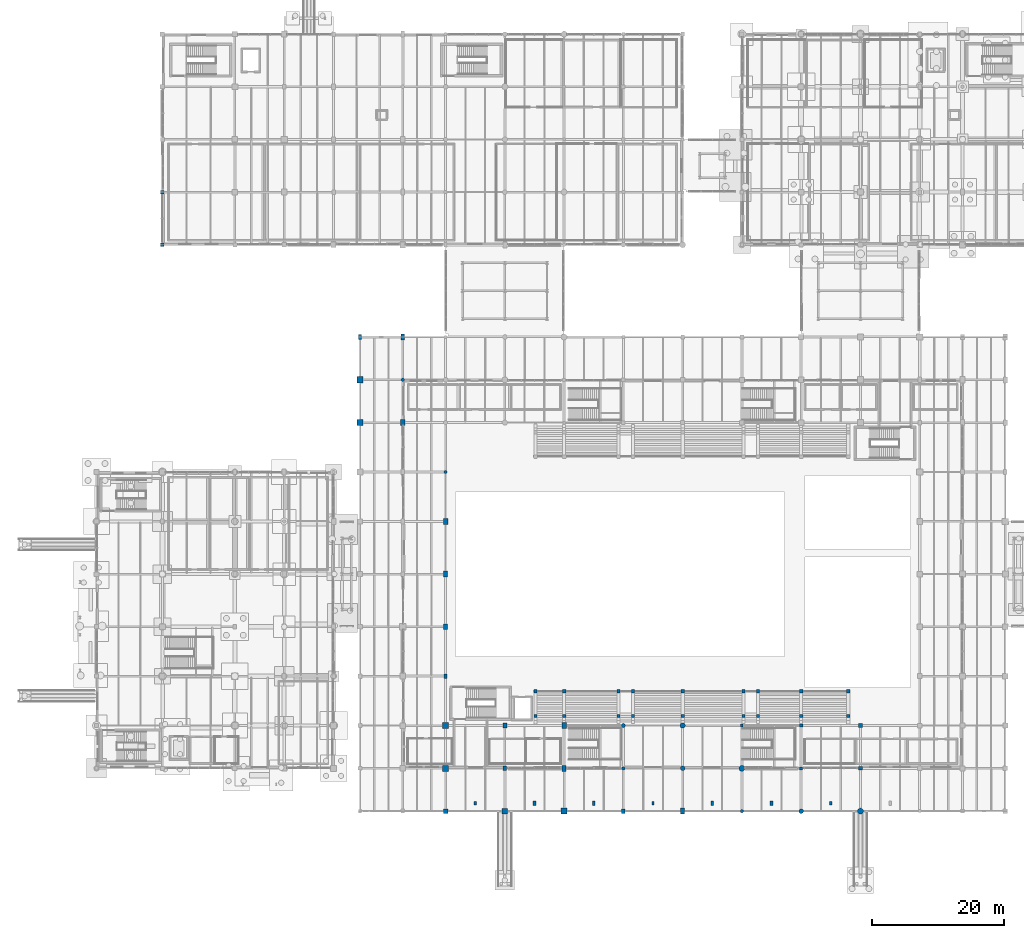
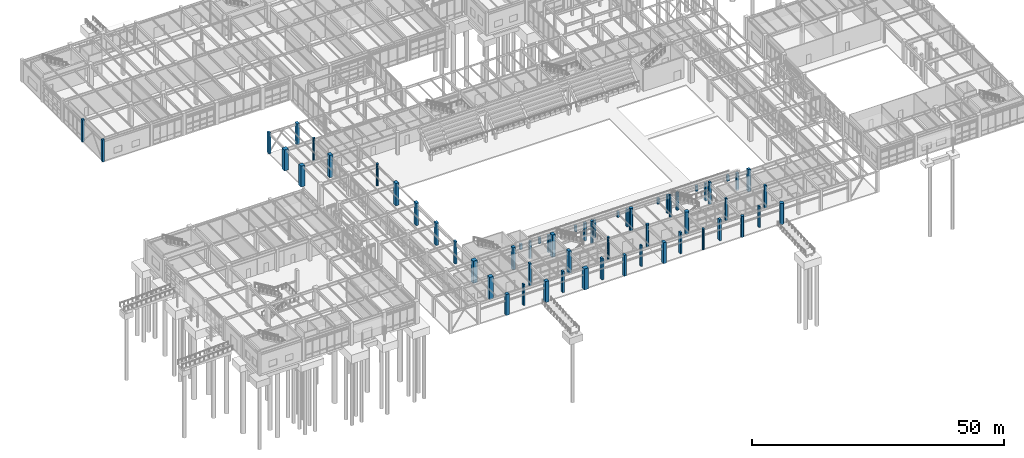
# One storey, part 11 of 203: 62 columns.
"""IFC4 building model written with IfcOpenShell, lengths in metres."""

import ifcopenshell
import ifcopenshell.guid

model = None  # the IFC model being written
_history = None  # IfcOwnerHistory: only IFC2X3 demands one
_inside = {}  # id of a spatial element -> (the spatial element, [elements in it])
_under = {}  # id of a project, library or spatial element -> (it, [spatial elements below it])
_declared = {}  # id of a project -> (the project, [libraries it declares])
_typed = {}  # id of a type object -> (the type object, [elements of that type])
_made_of = {}  # id of a material, layer set ... -> (it, [elements and type objects made of it])


def new_model(schema):
    """Start an empty IFC model of exactly this schema.

    Asked for "IFC4X3", IfcOpenShell would pick the latest addendum, in which some entities
    have other attributes; the version numbers below select the first issue.
    IFC2X3 requires an IfcOwnerHistory on every rooted entity: one is made here for all.
    """
    global model, _history
    if schema == "IFC4X3":
        model = ifcopenshell.file(schema_version=(4, 3, 0, 0))
    else:
        model = ifcopenshell.file(schema=schema)
    _inside.clear()
    _under.clear()
    _declared.clear()
    _typed.clear()
    _made_of.clear()
    _history = None
    if model.schema == "IFC2X3":
        org = make("IfcOrganization", Name="unknown")
        user = make(
            "IfcPersonAndOrganization",
            ThePerson=make("IfcPerson", FamilyName="unknown"),
            TheOrganization=org,
        )
        app = make(
            "IfcApplication",
            ApplicationDeveloper=org,
            Version="unknown",
            ApplicationFullName="unknown",
            ApplicationIdentifier="unknown",
        )
        _history = make(
            "IfcOwnerHistory",
            OwningUser=user,
            OwningApplication=app,
            ChangeAction="ADDED",
            CreationDate=0,
        )
    return model


def make(cls, **values):
    """One entity of the class cls with the attributes given. An attribute that is None is left unset."""
    return model.create_entity(
        cls, **{name: value for name, value in values.items() if value is not None}
    )


def rooted(cls, **values):
    """An entity with a GlobalId (a new one), such as an element, a storey or a relation."""
    return make(cls, GlobalId=ifcopenshell.guid.new(), OwnerHistory=_history, **values)


def si_unit(unit_type, name, prefix=None):
    """IfcSIUnit, for example si_unit("LENGTHUNIT", "METRE", prefix="MILLI")."""
    return make("IfcSIUnit", UnitType=unit_type, Prefix=prefix, Name=name)


def assignment(units):
    """IfcUnitAssignment: the units of a project."""
    return None if units is None else make("IfcUnitAssignment", Units=units)


def point(xyz):
    """IfcCartesianPoint."""
    return None if xyz is None else make("IfcCartesianPoint", Coordinates=xyz)


def direction(xyz):
    """IfcDirection."""
    return None if xyz is None else make("IfcDirection", DirectionRatios=xyz)


def frame(location, z_axis=None, x_axis=None):
    """IfcAxis2Placement3D, a coordinate frame: its origin and axes. An axis left out is left unset."""
    return make(
        "IfcAxis2Placement3D",
        Location=point(location),
        Axis=direction(z_axis),
        RefDirection=direction(x_axis),
    )


def frame_2d(location, x_axis=None):
    """IfcAxis2Placement2D, a coordinate frame in the plane: its origin and x axis."""
    return make(
        "IfcAxis2Placement2D", Location=point(location), RefDirection=direction(x_axis)
    )


def origin():
    """The frame at (0, 0, 0) with its axes left unset."""
    return frame((0.0, 0.0, 0.0))


def origin_2d():
    """The frame at (0, 0) in the plane with its x axis left unset."""
    return frame_2d((0.0, 0.0))


def place(relative_to, where):
    """IfcLocalPlacement: puts the frame where relative to a parent placement (None: the world)."""
    return make(
        "IfcLocalPlacement", PlacementRelTo=relative_to, RelativePlacement=where
    )


def context(
    kind, dimensions, precision=None, world=None, true_north=None, identifier=None
):
    """IfcGeometricRepresentationContext, for example the 3D "Model" context."""
    return make(
        "IfcGeometricRepresentationContext",
        ContextIdentifier=identifier,
        ContextType=kind,
        CoordinateSpaceDimension=dimensions,
        Precision=precision,
        WorldCoordinateSystem=world,
        TrueNorth=true_north,
    )


def subcontext(parent, identifier, kind, view, scale=None):
    """IfcGeometricRepresentationSubContext, for example "Body" below "Model"."""
    return make(
        "IfcGeometricRepresentationSubContext",
        ContextIdentifier=identifier,
        ContextType=kind,
        ParentContext=parent,
        TargetScale=scale,
        TargetView=view,
    )


def project(units=None, contexts=None):
    """IfcProject with its units and contexts."""
    return rooted(
        "IfcProject",
        Name="project",
        RepresentationContexts=contexts,
        UnitsInContext=assignment(units),
    )


def spatial(cls, under=None, at=None, **own):
    """A site, building, storey or space (cls), placed at a placement, below another one or the project."""
    s = rooted(cls, ObjectPlacement=at, **own)
    if under is not None:
        _under.setdefault(under.id(), (under, []))[1].append(s)
    return s


def profile(cls, at=None, kind="AREA", **sizes):
    """A parametric profile (cls). Its sizes go by their IFC names, for example OverallWidth=200.0."""
    return make(cls, ProfileType=kind, Position=at, **sizes)


def rectangle(**sizes):
    """IfcRectangleProfileDef."""
    return profile("IfcRectangleProfileDef", **sizes)


def circle(**sizes):
    """IfcCircleProfileDef."""
    return profile("IfcCircleProfileDef", **sizes)


def extrude(swept, where, along, depth):
    """IfcExtrudedAreaSolid: the profile swept, set in the frame where, extruded along a direction by depth."""
    return make(
        "IfcExtrudedAreaSolid",
        SweptArea=swept,
        Position=where,
        ExtrudedDirection=direction(along),
        Depth=depth,
    )


def shape(context_of_items, identifier, shape_type, items):
    """IfcShapeRepresentation: the items that make up one representation, for example the "Body"."""
    return make(
        "IfcShapeRepresentation",
        ContextOfItems=context_of_items,
        RepresentationIdentifier=identifier,
        RepresentationType=shape_type,
        Items=items,
    )


def material(Name=None, Category=None):
    """IfcMaterial."""
    return make("IfcMaterial", Name=Name, Category=Category)


def material_profile(
    of_material, cross_section, Name=None, Category=None, Priority=None
):
    """IfcMaterialProfile: a cross section and its material."""
    return make(
        "IfcMaterialProfile",
        Name=Name,
        Material=of_material,
        Profile=cross_section,
        Priority=Priority,
        Category=Category,
    )


def profile_set(profiles, Name=None, composite=None):
    """IfcMaterialProfileSet."""
    return make(
        "IfcMaterialProfileSet",
        Name=Name,
        MaterialProfiles=profiles,
        CompositeProfile=composite,
    )


def made_of(thing, what):
    """Note that an element or type object is made of a material, layer set ...; save() writes the relation."""
    if what is not None:
        _made_of.setdefault(what.id(), (what, []))[1].append(thing)
    return thing


def type_object(cls, material=None, **own):
    """A type object (cls), such as IfcWallType, which elements share."""
    return made_of(rooted(cls, **own), material)


def element(
    cls,
    number,
    at=None,
    inside=None,
    cuts=None,
    type_object=None,
    material=None,
    context=None,
    identifier="Body",
    shape_type=None,
    held_by="IfcProductDefinitionShape",
    body=None,
    shapes=None,
    **own,
):
    """One element of the class cls, such as IfcWall. Its Tag is "e" and its number.

    at: its placement. inside: the storey or other place that contains it. cuts: it is an
    opening in that element (IfcRelVoidsElement). A single representation is given by context,
    identifier, shape_type and body (its items); several are given by shapes. held_by: the class
    of the entity that holds the representations. save() writes the other relations.
    """
    e = rooted(cls, Tag="e%d" % number, ObjectPlacement=at, **own)
    if body is not None:
        shapes = [shape(context, identifier, shape_type, body)]
    if shapes is not None:
        e.Representation = make(held_by, Representations=shapes)
    if inside is not None:
        _inside.setdefault(inside.id(), (inside, []))[1].append(e)
    if cuts is not None:
        rooted(
            "IfcRelVoidsElement", RelatingBuildingElement=cuts, RelatedOpeningElement=e
        )
    if type_object is not None:
        _typed.setdefault(type_object.id(), (type_object, []))[1].append(e)
    return made_of(e, material)


def aggregate(whole, parts):
    """IfcRelAggregates: a whole, such as a stair, and the parts it consists of."""
    return rooted("IfcRelAggregates", RelatingObject=whole, RelatedObjects=parts)


def save(model, path):
    """Write the relations noted so far, then the file.

    IfcRelAggregates (storeys below a building ...), IfcRelContainedInSpatialStructure (elements
    in a storey), IfcRelDefinesByType, IfcRelAssociatesMaterial and IfcRelDeclares: one each for
    every whole, place, type object, material and project.
    """
    for whole, parts in _under.values():
        aggregate(whole, parts)
    for where, things in _inside.values():
        rooted(
            "IfcRelContainedInSpatialStructure",
            RelatedElements=things,
            RelatingStructure=where,
        )
    for kind, things in _typed.values():
        rooted("IfcRelDefinesByType", RelatedObjects=things, RelatingType=kind)
    for what, things in _made_of.values():
        rooted("IfcRelAssociatesMaterial", RelatedObjects=things, RelatingMaterial=what)
    for by, libraries in _declared.values():
        rooted("IfcRelDeclares", RelatingContext=by, RelatedDefinitions=libraries)
    model.write(path)


model = new_model("IFC4")

# Units and contexts
model_context = context("Model", 3, precision=1e-05, world=origin(), true_north=direction((0.0, 1.0)))
body_context = subcontext(model_context, "Body", "Model", "MODEL_VIEW")
ifc_project = project(units=[si_unit("LENGTHUNIT", "METRE"), si_unit("AREAUNIT", "SQUARE_METRE"), si_unit("VOLUMEUNIT", "CUBIC_METRE"), si_unit("PLANEANGLEUNIT", "RADIAN"), si_unit("MASSUNIT", "GRAM", prefix="KILO"), si_unit("THERMODYNAMICTEMPERATUREUNIT", "KELVIN"), si_unit("POWERUNIT", "WATT")], contexts=[model_context])

# Site, building, storey
site_placement = place(None, origin())
site = spatial("IfcSite", under=ifc_project, at=site_placement, CompositionType="ELEMENT")
building_placement = place(site_placement, origin())
building = spatial("IfcBuilding", under=site, at=building_placement, Name="Tepalcoro Natatorium and Aquatics Centre", CompositionType="ELEMENT")
storey_placement = place(building_placement, origin())
storey = spatial("IfcBuildingStorey", under=building, at=storey_placement, Name="L00", CompositionType="ELEMENT", Elevation=0.0)

# Columns
ifc_material = material(Name="Concrete C40/50 (fc 40 MPa)", Category="concrete")
ifc_material_profile_1 = material_profile(ifc_material, rectangle(XDim=0.39990234375, YDim=0.39990234375, at=origin_2d()), Name="RC400x400")
ifc_profile_set_1 = profile_set([ifc_material_profile_1], Name="Concrete C40/50 (fc 40 MPa)")
column_type_1 = type_object("IfcColumnType", Name="COL_RC_400x400", PredefinedType="COLUMN", material=ifc_profile_set_1)
column_1_placement = place(storey_placement, frame((98.0, 13.0, 0.0), z_axis=(0.0, 0.0, 1.0), x_axis=(1.0, 0.0, 0.0)))
element("IfcColumn", 1, at=column_1_placement, inside=storey, type_object=column_type_1, Name="V1 L00 Grid Column (98.0, 13.0)", PredefinedType="COLUMN", context=body_context, shape_type="SweptSolid", body=[
    extrude(rectangle(XDim=0.39990234375, YDim=0.39990234375, at=origin_2d()), origin(), (0.0, 0.0, 1.0), 5.39990234375),
])
ifc_material_profile_2 = material_profile(ifc_material, rectangle(XDim=0.449951171875, YDim=0.449951171875, at=origin_2d()), Name="RC450x450")
ifc_profile_set_2 = profile_set([ifc_material_profile_2], Name="Concrete C40/50 (fc 40 MPa)")
column_type_2 = type_object("IfcColumnType", Name="COL_RC_450x450", PredefinedType="COLUMN", material=ifc_profile_set_2)
column_2_placement = place(storey_placement, frame((107.0, 6.5, 0.0), z_axis=(0.0, 0.0, 1.0), x_axis=(1.0, 0.0, 0.0)))
element("IfcColumn", 2, at=column_2_placement, inside=storey, type_object=column_type_2, Name="V1 L00 Grid Column (107.0, 6.5)", PredefinedType="COLUMN", context=body_context, shape_type="SweptSolid", body=[
    extrude(rectangle(XDim=0.449951171875, YDim=0.449951171875, at=origin_2d()), origin(), (0.0, 0.0, 1.0), 5.39990234375),
])
ifc_material_profile_3 = material_profile(ifc_material, rectangle(XDim=0.5, YDim=0.5, at=origin_2d()), Name="RC500x500")
ifc_profile_set_3 = profile_set([ifc_material_profile_3], Name="Concrete C40/50 (fc 40 MPa)")
column_type_3 = type_object("IfcColumnType", Name="COL_RC_500x500", PredefinedType="COLUMN", material=ifc_profile_set_3)
for number, where, z_axis, x_axis, name in (
    (3, (107.0, 13.0, 0.0), (0.0, 0.0, 1.0), (1.0, 0.0, 0.0), "V1 L00 Grid Column (107.0, 13.0)"),
    (4, (10.0, 86.0, 0.0), (0.0, 0.0, 1.0), (1.0, 0.0, 0.0), "V4 L00 Grid Column (10.0, 86.0)"),
):
    element("IfcColumn", number, at=place(storey_placement, frame(where, z_axis=z_axis, x_axis=x_axis)), inside=storey, type_object=column_type_3, Name=name, PredefinedType="COLUMN", context=body_context, shape_type="SweptSolid", body=[
        extrude(rectangle(XDim=0.5, YDim=0.5, at=origin_2d()), origin(), (0.0, 0.0, 1.0), 5.39990234375),
    ])
column_3_placement = place(storey_placement, frame((66.64990234375, 18.199951171875, 0.0), z_axis=(0.0, 0.0, 1.0), x_axis=(1.0, 0.0, 0.0)))
element("IfcColumn", 5, at=column_3_placement, inside=storey, type_object=column_type_3, Name="Spectator Bowl Plinth Column S-F", PredefinedType="COLUMN", context=body_context, shape_type="SweptSolid", body=[
    extrude(rectangle(XDim=0.5, YDim=0.5, at=origin_2d()), origin(), (0.0, 0.0, 1.0), 1.35009765625),
])
column_4_placement = place(storey_placement, frame((66.64990234375, 14.449951171875, 0.0), z_axis=(0.0, 0.0, 1.0), x_axis=(1.0, 0.0, 0.0)))
element("IfcColumn", 6, at=column_4_placement, inside=storey, type_object=column_type_3, Name="Spectator Bowl Plinth Column S-B", PredefinedType="COLUMN", context=body_context, shape_type="SweptSolid", body=[
    extrude(rectangle(XDim=0.5, YDim=0.5, at=origin_2d()), origin(), (0.0, 0.0, 1.0), 4.25),
])
column_5_placement = place(storey_placement, frame((71.0, 18.199951171875, 0.0), z_axis=(0.0, 0.0, 1.0), x_axis=(1.0, 0.0, 0.0)))
element("IfcColumn", 7, at=column_5_placement, inside=storey, type_object=column_type_3, Name="Spectator Bowl Plinth Column S-F", PredefinedType="COLUMN", context=body_context, shape_type="SweptSolid", body=[
    extrude(rectangle(XDim=0.5, YDim=0.5, at=origin_2d()), origin(), (0.0, 0.0, 1.0), 1.35009765625),
])
column_6_placement = place(storey_placement, frame((71.0, 14.449951171875, 0.0), z_axis=(0.0, 0.0, 1.0), x_axis=(1.0, 0.0, 0.0)))
element("IfcColumn", 8, at=column_6_placement, inside=storey, type_object=column_type_3, Name="Spectator Bowl Plinth Column S-B", PredefinedType="COLUMN", context=body_context, shape_type="SweptSolid", body=[
    extrude(rectangle(XDim=0.5, YDim=0.5, at=origin_2d()), origin(), (0.0, 0.0, 1.0), 4.25),
])
column_7_placement = place(storey_placement, frame((79.25, 18.199951171875, 0.0), z_axis=(0.0, 0.0, 1.0), x_axis=(1.0, 0.0, 0.0)))
element("IfcColumn", 9, at=column_7_placement, inside=storey, type_object=column_type_3, Name="Spectator Bowl Plinth Column S-F", PredefinedType="COLUMN", context=body_context, shape_type="SweptSolid", body=[
    extrude(rectangle(XDim=0.5, YDim=0.5, at=origin_2d()), origin(), (0.0, 0.0, 1.0), 1.35009765625),
])
column_8_placement = place(storey_placement, frame((79.25, 14.449951171875, 0.0), z_axis=(0.0, 0.0, 1.0), x_axis=(1.0, 0.0, 0.0)))
element("IfcColumn", 10, at=column_8_placement, inside=storey, type_object=column_type_3, Name="Spectator Bowl Plinth Column S-B", PredefinedType="COLUMN", context=body_context, shape_type="SweptSolid", body=[
    extrude(rectangle(XDim=0.5, YDim=0.5, at=origin_2d()), origin(), (0.0, 0.0, 1.0), 4.25),
])
column_9_placement = place(storey_placement, frame((81.449951171875, 18.199951171875, 0.0), z_axis=(0.0, 0.0, 1.0), x_axis=(1.0, 0.0, 0.0)))
element("IfcColumn", 11, at=column_9_placement, inside=storey, type_object=column_type_3, Name="Spectator Bowl Plinth Column S-F", PredefinedType="COLUMN", context=body_context, shape_type="SweptSolid", body=[
    extrude(rectangle(XDim=0.5, YDim=0.5, at=origin_2d()), origin(), (0.0, 0.0, 1.0), 1.35009765625),
])
column_10_placement = place(storey_placement, frame((81.449951171875, 14.449951171875, 0.0), z_axis=(0.0, 0.0, 1.0), x_axis=(1.0, 0.0, 0.0)))
element("IfcColumn", 12, at=column_10_placement, inside=storey, type_object=column_type_3, Name="Spectator Bowl Plinth Column S-B", PredefinedType="COLUMN", context=body_context, shape_type="SweptSolid", body=[
    extrude(rectangle(XDim=0.5, YDim=0.5, at=origin_2d()), origin(), (0.0, 0.0, 1.0), 4.25),
])
column_11_placement = place(storey_placement, frame((89.0, 18.199951171875, 0.0), z_axis=(0.0, 0.0, 1.0), x_axis=(1.0, 0.0, 0.0)))
element("IfcColumn", 13, at=column_11_placement, inside=storey, type_object=column_type_3, Name="Spectator Bowl Plinth Column S-F", PredefinedType="COLUMN", context=body_context, shape_type="SweptSolid", body=[
    extrude(rectangle(XDim=0.5, YDim=0.5, at=origin_2d()), origin(), (0.0, 0.0, 1.0), 1.35009765625),
])
column_12_placement = place(storey_placement, frame((89.0, 14.449951171875, 0.0), z_axis=(0.0, 0.0, 1.0), x_axis=(1.0, 0.0, 0.0)))
element("IfcColumn", 14, at=column_12_placement, inside=storey, type_object=column_type_3, Name="Spectator Bowl Plinth Column S-B", PredefinedType="COLUMN", context=body_context, shape_type="SweptSolid", body=[
    extrude(rectangle(XDim=0.5, YDim=0.5, at=origin_2d()), origin(), (0.0, 0.0, 1.0), 4.25),
])
column_13_placement = place(storey_placement, frame((98.25, 18.199951171875, 0.0), z_axis=(0.0, 0.0, 1.0), x_axis=(1.0, 0.0, 0.0)))
element("IfcColumn", 15, at=column_13_placement, inside=storey, type_object=column_type_3, Name="Spectator Bowl Plinth Column S-F", PredefinedType="COLUMN", context=body_context, shape_type="SweptSolid", body=[
    extrude(rectangle(XDim=0.5, YDim=0.5, at=origin_2d()), origin(), (0.0, 0.0, 1.0), 1.35009765625),
])
column_14_placement = place(storey_placement, frame((98.25, 14.449951171875, 0.0), z_axis=(0.0, 0.0, 1.0), x_axis=(1.0, 0.0, 0.0)))
element("IfcColumn", 16, at=column_14_placement, inside=storey, type_object=column_type_3, Name="Spectator Bowl Plinth Column S-B", PredefinedType="COLUMN", context=body_context, shape_type="SweptSolid", body=[
    extrude(rectangle(XDim=0.5, YDim=0.5, at=origin_2d()), origin(), (0.0, 0.0, 1.0), 4.25),
])
column_15_placement = place(storey_placement, frame((100.449951171875, 18.199951171875, 0.0), z_axis=(0.0, 0.0, 1.0), x_axis=(1.0, 0.0, 0.0)))
element("IfcColumn", 17, at=column_15_placement, inside=storey, type_object=column_type_3, Name="Spectator Bowl Plinth Column S-F", PredefinedType="COLUMN", context=body_context, shape_type="SweptSolid", body=[
    extrude(rectangle(XDim=0.5, YDim=0.5, at=origin_2d()), origin(), (0.0, 0.0, 1.0), 1.35009765625),
])
column_16_placement = place(storey_placement, frame((100.449951171875, 14.449951171875, 0.0), z_axis=(0.0, 0.0, 1.0), x_axis=(1.0, 0.0, 0.0)))
element("IfcColumn", 18, at=column_16_placement, inside=storey, type_object=column_type_3, Name="Spectator Bowl Plinth Column S-B", PredefinedType="COLUMN", context=body_context, shape_type="SweptSolid", body=[
    extrude(rectangle(XDim=0.5, YDim=0.5, at=origin_2d()), origin(), (0.0, 0.0, 1.0), 4.25),
])
column_17_placement = place(storey_placement, frame((107.0, 18.199951171875, 0.0), z_axis=(0.0, 0.0, 1.0), x_axis=(1.0, 0.0, 0.0)))
element("IfcColumn", 19, at=column_17_placement, inside=storey, type_object=column_type_3, Name="Spectator Bowl Plinth Column S-F", PredefinedType="COLUMN", context=body_context, shape_type="SweptSolid", body=[
    extrude(rectangle(XDim=0.5, YDim=0.5, at=origin_2d()), origin(), (0.0, 0.0, 1.0), 1.35009765625),
])
column_18_placement = place(storey_placement, frame((107.0, 14.449951171875, 0.0), z_axis=(0.0, 0.0, 1.0), x_axis=(1.0, 0.0, 0.0)))
element("IfcColumn", 20, at=column_18_placement, inside=storey, type_object=column_type_3, Name="Spectator Bowl Plinth Column S-B", PredefinedType="COLUMN", context=body_context, shape_type="SweptSolid", body=[
    extrude(rectangle(XDim=0.5, YDim=0.5, at=origin_2d()), origin(), (0.0, 0.0, 1.0), 4.25),
])
column_19_placement = place(storey_placement, frame((114.14990234375, 18.199951171875, 0.0), z_axis=(0.0, 0.0, 1.0), x_axis=(1.0, 0.0, 0.0)))
element("IfcColumn", 21, at=column_19_placement, inside=storey, type_object=column_type_3, Name="Spectator Bowl Plinth Column S-F", PredefinedType="COLUMN", context=body_context, shape_type="SweptSolid", body=[
    extrude(rectangle(XDim=0.5, YDim=0.5, at=origin_2d()), origin(), (0.0, 0.0, 1.0), 1.35009765625),
])
column_20_placement = place(storey_placement, frame((114.14990234375, 14.449951171875, 0.0), z_axis=(0.0, 0.0, 1.0), x_axis=(1.0, 0.0, 0.0)))
element("IfcColumn", 22, at=column_20_placement, inside=storey, type_object=column_type_3, Name="Spectator Bowl Plinth Column S-B", PredefinedType="COLUMN", context=body_context, shape_type="SweptSolid", body=[
    extrude(rectangle(XDim=0.5, YDim=0.5, at=origin_2d()), origin(), (0.0, 0.0, 1.0), 4.25),
])
ifc_material_profile_4 = material_profile(ifc_material, rectangle(XDim=0.5, YDim=0.699951171875, at=origin_2d()), Name="RC500x700")
ifc_profile_set_4 = profile_set([ifc_material_profile_4], Name="Concrete C40/50 (fc 40 MPa)")
column_type_4 = type_object("IfcColumnType", Name="COL_RC_500x700", PredefinedType="COLUMN", material=ifc_profile_set_4)
column_21_placement = place(storey_placement, frame((40.0, 72.0, 0.0), z_axis=(0.0, 0.0, 1.0), x_axis=(1.0, 0.0, 0.0)))
element("IfcColumn", 23, at=column_21_placement, inside=storey, type_object=column_type_4, Name="V1 L00 Grid Column (40.0, 72.0)", PredefinedType="COLUMN", context=body_context, shape_type="SweptSolid", body=[
    extrude(rectangle(XDim=0.5, YDim=0.699951171875, at=origin_2d()), origin(), (0.0, 0.0, 1.0), 5.10009765625),
])
for number, where, z_axis, x_axis, name in (
    (24, (53.0, 20.5, 0.0), (0.0, 0.0, 1.0), (1.0, 0.0, 0.0), "V1 L00 Grid Column (53.0, 20.5)"),
    (25, (62.0, 6.5, 0.0), (0.0, 0.0, 1.0), (1.0, 0.0, 0.0), "V1 L00 Grid Column (62.0, 6.5)"),
):
    element("IfcColumn", number, at=place(storey_placement, frame(where, z_axis=z_axis, x_axis=x_axis)), inside=storey, type_object=column_type_4, Name=name, PredefinedType="COLUMN", context=body_context, shape_type="SweptSolid", body=[
        extrude(rectangle(XDim=0.5, YDim=0.699951171875, at=origin_2d()), origin(), (0.0, 0.0, 1.0), 5.39990234375),
    ])
column_22_placement = place(storey_placement, frame((80.0, 0.0, 0.0), z_axis=(0.0, 0.0, 1.0), x_axis=(1.0, 0.0, 0.0)))
element("IfcColumn", 26, at=column_22_placement, inside=storey, type_object=column_type_4, Name="V1 L00 Grid Column (80.0, 0.0)", PredefinedType="COLUMN", context=body_context, shape_type="SweptSolid", body=[
    extrude(rectangle(XDim=0.5, YDim=0.699951171875, at=origin_2d()), origin(), (0.0, 0.0, 1.0), 5.10009765625),
])
ifc_material_profile_5 = material_profile(ifc_material, rectangle(XDim=0.550048828125, YDim=0.550048828125, at=origin_2d()), Name="RC550x550")
ifc_profile_set_5 = profile_set([ifc_material_profile_5], Name="Concrete C40/50 (fc 40 MPa)")
column_type_5 = type_object("IfcColumnType", Name="COL_RC_550x550", PredefinedType="COLUMN", material=ifc_profile_set_5)
for number, where, z_axis, x_axis, name in (
    (27, (116.0, 6.5, 0.0), (0.0, 0.0, 1.0), (1.0, 0.0, 0.0), "V1 L00 Grid Column (116.0, 6.5)"),
    (28, (10.0, 94.0, 0.0), (0.0, 0.0, 1.0), (1.0, 0.0, 0.0), "V4 L00 Grid Column (10.0, 94.0)"),
):
    element("IfcColumn", number, at=place(storey_placement, frame(where, z_axis=z_axis, x_axis=x_axis)), inside=storey, type_object=column_type_5, Name=name, PredefinedType="COLUMN", context=body_context, shape_type="SweptSolid", body=[
        extrude(rectangle(XDim=0.550048828125, YDim=0.550048828125, at=origin_2d()), origin(), (0.0, 0.0, 1.0), 5.39990234375),
    ])
ifc_material_profile_6 = material_profile(ifc_material, rectangle(XDim=0.60009765625, YDim=0.60009765625, at=origin_2d()), Name="RC600x600")
ifc_profile_set_6 = profile_set([ifc_material_profile_6], Name="Concrete C40/50 (fc 40 MPa)")
column_type_6 = type_object("IfcColumnType", Name="COL_RC_600x600", PredefinedType="COLUMN", material=ifc_profile_set_6)
column_23_placement = place(storey_placement, frame((116.0, 13.0, 0.0), z_axis=(0.0, 0.0, 1.0), x_axis=(1.0, 0.0, 0.0)))
element("IfcColumn", 29, at=column_23_placement, inside=storey, type_object=column_type_6, Name="V1 L00 Grid Column (116.0, 13.0)", PredefinedType="COLUMN", context=body_context, shape_type="SweptSolid", body=[
    extrude(rectangle(XDim=0.60009765625, YDim=0.60009765625, at=origin_2d()), origin(), (0.0, 0.0, 1.0), 5.39990234375),
])
ifc_material_profile_7 = material_profile(ifc_material, rectangle(XDim=0.60009765625, YDim=0.800048828125, at=origin_2d()), Name="RC600x800")
ifc_profile_set_7 = profile_set([ifc_material_profile_7], Name="Concrete C40/50 (fc 40 MPa)")
column_type_7 = type_object("IfcColumnType", Name="COL_RC_600x800", PredefinedType="COLUMN", material=ifc_profile_set_7)
for number, where, z_axis, x_axis, name in (
    (30, (53.0, 28.0, 0.0), (0.0, 0.0, 1.0), (1.0, 0.0, 0.0), "V1 L00 Grid Column (53.0, 28.0)"),
    (31, (62.0, 13.0, 0.0), (0.0, 0.0, 1.0), (1.0, 0.0, 0.0), "V1 L00 Grid Column (62.0, 13.0)"),
):
    element("IfcColumn", number, at=place(storey_placement, frame(where, z_axis=z_axis, x_axis=x_axis)), inside=storey, type_object=column_type_7, Name=name, PredefinedType="COLUMN", context=body_context, shape_type="SweptSolid", body=[
        extrude(rectangle(XDim=0.60009765625, YDim=0.800048828125, at=origin_2d()), origin(), (0.0, 0.0, 1.0), 5.39990234375),
    ])
ifc_material_profile_8 = material_profile(ifc_material, rectangle(XDim=0.60009765625, YDim=0.89990234375, at=origin_2d()), Name="RC600x900")
ifc_profile_set_8 = profile_set([ifc_material_profile_8], Name="Concrete C40/50 (fc 40 MPa)")
column_type_8 = type_object("IfcColumnType", Name="COL_RC_600x900", PredefinedType="COLUMN", material=ifc_profile_set_8)
column_24_placement = place(storey_placement, frame((46.5, 72.0, 0.0), z_axis=(0.0, 0.0, 1.0), x_axis=(1.0, 0.0, 0.0)))
element("IfcColumn", 32, at=column_24_placement, inside=storey, type_object=column_type_8, Name="V1 L00 Grid Column (46.5, 72.0)", PredefinedType="COLUMN", context=body_context, shape_type="SweptSolid", body=[
    extrude(rectangle(XDim=0.60009765625, YDim=0.89990234375, at=origin_2d()), origin(), (0.0, 0.0, 1.0), 5.10009765625),
])
for number, where, z_axis, x_axis, name in (
    (33, (53.0, 36.0, 0.0), (0.0, 0.0, 1.0), (1.0, 0.0, 0.0), "V1 L00 Grid Column (53.0, 36.0)"),
    (34, (71.0, 6.5, 0.0), (0.0, 0.0, 1.0), (1.0, 0.0, 0.0), "V1 L00 Grid Column (71.0, 6.5)"),
):
    element("IfcColumn", number, at=place(storey_placement, frame(where, z_axis=z_axis, x_axis=x_axis)), inside=storey, type_object=column_type_8, Name=name, PredefinedType="COLUMN", context=body_context, shape_type="SweptSolid", body=[
        extrude(rectangle(XDim=0.60009765625, YDim=0.89990234375, at=origin_2d()), origin(), (0.0, 0.0, 1.0), 5.39990234375),
    ])
column_25_placement = place(storey_placement, frame((89.0, 0.0, 0.0), z_axis=(0.0, 0.0, 1.0), x_axis=(1.0, 0.0, 0.0)))
element("IfcColumn", 35, at=column_25_placement, inside=storey, type_object=column_type_8, Name="V1 L00 Grid Column (89.0, 0.0)", PredefinedType="COLUMN", context=body_context, shape_type="SweptSolid", body=[
    extrude(rectangle(XDim=0.60009765625, YDim=0.89990234375, at=origin_2d()), origin(), (0.0, 0.0, 1.0), 5.10009765625),
])
ifc_material_profile_9 = material_profile(ifc_material, rectangle(XDim=0.699951171875, YDim=0.699951171875, at=origin_2d()), Name="RC700x700")
ifc_profile_set_9 = profile_set([ifc_material_profile_9], Name="Concrete C40/50 (fc 40 MPa)")
column_type_9 = type_object("IfcColumnType", Name="COL_RC_700x700", PredefinedType="COLUMN", material=ifc_profile_set_9)
column_26_placement = place(storey_placement, frame((53.0, 0.0, 0.0), z_axis=(0.0, 0.0, 1.0), x_axis=(1.0, 0.0, 0.0)))
element("IfcColumn", 36, at=column_26_placement, inside=storey, type_object=column_type_9, Name="V1 L00 Grid Column (53.0, 0.0)", PredefinedType="COLUMN", context=body_context, shape_type="SweptSolid", body=[
    extrude(rectangle(XDim=0.699951171875, YDim=0.699951171875, at=origin_2d()), origin(), (0.0, 0.0, 1.0), 5.10009765625),
])
ifc_material_profile_10 = material_profile(ifc_material, rectangle(XDim=0.699951171875, YDim=0.949951171875, at=origin_2d()), Name="RC700x950")
ifc_profile_set_10 = profile_set([ifc_material_profile_10], Name="Concrete C40/50 (fc 40 MPa)")
column_type_10 = type_object("IfcColumnType", Name="COL_RC_700x950", PredefinedType="COLUMN", material=ifc_profile_set_10)
for number, where, z_axis, x_axis, name in (
    (37, (46.5, 59.0, 0.0), (0.0, 0.0, 1.0), (1.0, 0.0, 0.0), "V1 L00 Grid Column (46.5, 59.0)"),
    (38, (53.0, 44.0, 0.0), (0.0, 0.0, 1.0), (1.0, 0.0, 0.0), "V1 L00 Grid Column (53.0, 44.0)"),
    (39, (71.0, 13.0, 0.0), (0.0, 0.0, 1.0), (1.0, 0.0, 0.0), "V1 L00 Grid Column (71.0, 13.0)"),
):
    element("IfcColumn", number, at=place(storey_placement, frame(where, z_axis=z_axis, x_axis=x_axis)), inside=storey, type_object=column_type_10, Name=name, PredefinedType="COLUMN", context=body_context, shape_type="SweptSolid", body=[
        extrude(rectangle(XDim=0.699951171875, YDim=0.949951171875, at=origin_2d()), origin(), (0.0, 0.0, 1.0), 5.39990234375),
    ])
ifc_material_profile_11 = material_profile(ifc_material, rectangle(XDim=0.800048828125, YDim=0.800048828125, at=origin_2d()), Name="RC800x800")
ifc_profile_set_11 = profile_set([ifc_material_profile_11], Name="Concrete C40/50 (fc 40 MPa)")
column_type_11 = type_object("IfcColumnType", Name="COL_RC_800x800", PredefinedType="COLUMN", material=ifc_profile_set_11)
column_27_placement = place(storey_placement, frame((62.0, 0.0, 0.0), z_axis=(0.0, 0.0, 1.0), x_axis=(1.0, 0.0, 0.0)))
element("IfcColumn", 40, at=column_27_placement, inside=storey, type_object=column_type_11, Name="V1 L00 Grid Column (62.0, 0.0)", PredefinedType="COLUMN", context=body_context, shape_type="SweptSolid", body=[
    extrude(rectangle(XDim=0.800048828125, YDim=0.800048828125, at=origin_2d()), origin(), (0.0, 0.0, 1.0), 5.10009765625),
])
ifc_material_profile_12 = material_profile(ifc_material, rectangle(XDim=0.89990234375, YDim=0.89990234375, at=origin_2d()), Name="RC900x900")
ifc_profile_set_12 = profile_set([ifc_material_profile_12], Name="Concrete C40/50 (fc 40 MPa)")
column_type_12 = type_object("IfcColumnType", Name="COL_RC_900x900", PredefinedType="COLUMN", material=ifc_profile_set_12)
column_28_placement = place(storey_placement, frame((40.0, 59.0, 0.0), z_axis=(0.0, 0.0, 1.0), x_axis=(1.0, 0.0, 0.0)))
element("IfcColumn", 41, at=column_28_placement, inside=storey, type_object=column_type_12, Name="V1 L00 Grid Column (40.0, 59.0)", PredefinedType="COLUMN", context=body_context, shape_type="SweptSolid", body=[
    extrude(rectangle(XDim=0.89990234375, YDim=0.89990234375, at=origin_2d()), origin(), (0.0, 0.0, 1.0), 5.10009765625),
])
column_29_placement = place(storey_placement, frame((53.0, 6.5, 0.0), z_axis=(0.0, 0.0, 1.0), x_axis=(1.0, 0.0, 0.0)))
element("IfcColumn", 42, at=column_29_placement, inside=storey, type_object=column_type_12, Name="V1 L00 Grid Column (53.0, 6.5)", PredefinedType="COLUMN", context=body_context, shape_type="SweptSolid", body=[
    extrude(rectangle(XDim=0.89990234375, YDim=0.89990234375, at=origin_2d()), origin(), (0.0, 0.0, 1.0), 5.39990234375),
])
column_30_placement = place(storey_placement, frame((71.0, 0.0, 0.0), z_axis=(0.0, 0.0, 1.0), x_axis=(1.0, 0.0, 0.0)))
element("IfcColumn", 43, at=column_30_placement, inside=storey, type_object=column_type_12, Name="V1 L00 Grid Column (71.0, 0.0)", PredefinedType="COLUMN", context=body_context, shape_type="SweptSolid", body=[
    extrude(rectangle(XDim=0.89990234375, YDim=0.89990234375, at=origin_2d()), origin(), (0.0, 0.0, 1.0), 5.10009765625),
])
ifc_material_profile_13 = material_profile(ifc_material, rectangle(XDim=0.949951171875, YDim=0.949951171875, at=origin_2d()), Name="RC950x950")
ifc_profile_set_13 = profile_set([ifc_material_profile_13], Name="Concrete C40/50 (fc 40 MPa)")
column_type_13 = type_object("IfcColumnType", Name="COL_RC_950x950", PredefinedType="COLUMN", material=ifc_profile_set_13)
column_31_placement = place(storey_placement, frame((40.0, 65.5, 0.0), z_axis=(0.0, 0.0, 1.0), x_axis=(1.0, 0.0, 0.0)))
element("IfcColumn", 44, at=column_31_placement, inside=storey, type_object=column_type_13, Name="V1 L00 Grid Column (40.0, 65.5)", PredefinedType="COLUMN", context=body_context, shape_type="SweptSolid", body=[
    extrude(rectangle(XDim=0.949951171875, YDim=0.949951171875, at=origin_2d()), origin(), (0.0, 0.0, 1.0), 5.10009765625),
])
column_32_placement = place(storey_placement, frame((53.0, 13.0, 0.0), z_axis=(0.0, 0.0, 1.0), x_axis=(1.0, 0.0, 0.0)))
element("IfcColumn", 45, at=column_32_placement, inside=storey, type_object=column_type_13, Name="V1 L00 Grid Column (53.0, 13.0)", PredefinedType="COLUMN", context=body_context, shape_type="SweptSolid", body=[
    extrude(rectangle(XDim=0.949951171875, YDim=0.949951171875, at=origin_2d()), origin(), (0.0, 0.0, 1.0), 5.39990234375),
])
ifc_material_profile_14 = material_profile(ifc_material, circle(Radius=0.25, at=origin_2d()), Name="RCD500")
ifc_profile_set_14 = profile_set([ifc_material_profile_14], Name="Concrete C40/50 (fc 40 MPa)")
column_type_14 = type_object("IfcColumnType", Name="COL_RC_D500", PredefinedType="COLUMN", material=ifc_profile_set_14)
for number, where, z_axis, x_axis, name in (
    (46, (46.5, 65.5, 0.0), (0.0, 0.0, 1.0), (1.0, 0.0, 0.0), "V1 L00 Grid Column (46.5, 65.5)"),
    (47, (53.0, 51.5, 0.0), (0.0, 0.0, 1.0), (1.0, 0.0, 0.0), "V1 L00 Grid Column (53.0, 51.5)"),
    (48, (80.0, 6.5, 0.0), (0.0, 0.0, 1.0), (1.0, 0.0, 0.0), "V1 L00 Grid Column (80.0, 6.5)"),
):
    element("IfcColumn", number, at=place(storey_placement, frame(where, z_axis=z_axis, x_axis=x_axis)), inside=storey, type_object=column_type_14, Name=name, PredefinedType="COLUMN", context=body_context, shape_type="SweptSolid", body=[
        extrude(circle(Radius=0.25, at=origin_2d()), origin(), (0.0, 0.0, 1.0), 5.39990234375),
    ])
column_33_placement = place(storey_placement, frame((98.0, 0.0, 0.0), z_axis=(0.0, 0.0, 1.0), x_axis=(1.0, 0.0, 0.0)))
element("IfcColumn", 49, at=column_33_placement, inside=storey, type_object=column_type_14, Name="V1 L00 Grid Column (98.0, 0.0)", PredefinedType="COLUMN", context=body_context, shape_type="SweptSolid", body=[
    extrude(circle(Radius=0.25, at=origin_2d()), origin(), (0.0, 0.0, 1.0), 5.10009765625),
])
ifc_material_profile_15 = material_profile(ifc_material, circle(Radius=0.300048828125, at=origin_2d()), Name="RCD600")
ifc_profile_set_15 = profile_set([ifc_material_profile_15], Name="Concrete C40/50 (fc 40 MPa)")
column_type_15 = type_object("IfcColumnType", Name="COL_RC_D600", PredefinedType="COLUMN", material=ifc_profile_set_15)
column_34_placement = place(storey_placement, frame((80.0, 13.0, 0.0), z_axis=(0.0, 0.0, 1.0), x_axis=(1.0, 0.0, 0.0)))
element("IfcColumn", 50, at=column_34_placement, inside=storey, type_object=column_type_15, Name="V1 L00 Grid Column (80.0, 13.0)", PredefinedType="COLUMN", context=body_context, shape_type="SweptSolid", body=[
    extrude(circle(Radius=0.300048828125, at=origin_2d()), origin(), (0.0, 0.0, 1.0), 5.39990234375),
])
ifc_material_profile_16 = material_profile(ifc_material, circle(Radius=0.35009765625, at=origin_2d()), Name="RCD700")
ifc_profile_set_16 = profile_set([ifc_material_profile_16], Name="Concrete C40/50 (fc 40 MPa)")
column_type_16 = type_object("IfcColumnType", Name="COL_RC_D700", PredefinedType="COLUMN", material=ifc_profile_set_16)
column_35_placement = place(storey_placement, frame((89.0, 6.5, 0.0), z_axis=(0.0, 0.0, 1.0), x_axis=(1.0, 0.0, 0.0)))
element("IfcColumn", 51, at=column_35_placement, inside=storey, type_object=column_type_16, Name="V1 L00 Grid Column (89.0, 6.5)", PredefinedType="COLUMN", context=body_context, shape_type="SweptSolid", body=[
    extrude(circle(Radius=0.35009765625, at=origin_2d()), origin(), (0.0, 0.0, 1.0), 5.39990234375),
])
column_36_placement = place(storey_placement, frame((107.0, 0.0, 0.0), z_axis=(0.0, 0.0, 1.0), x_axis=(1.0, 0.0, 0.0)))
element("IfcColumn", 52, at=column_36_placement, inside=storey, type_object=column_type_16, Name="V1 L00 Grid Column (107.0, 0.0)", PredefinedType="COLUMN", context=body_context, shape_type="SweptSolid", body=[
    extrude(circle(Radius=0.35009765625, at=origin_2d()), origin(), (0.0, 0.0, 1.0), 5.10009765625),
])
ifc_material_profile_17 = material_profile(ifc_material, circle(Radius=0.39990234375, at=origin_2d()), Name="RCD800")
ifc_profile_set_17 = profile_set([ifc_material_profile_17], Name="Concrete C40/50 (fc 40 MPa)")
column_type_17 = type_object("IfcColumnType", Name="COL_RC_D800", PredefinedType="COLUMN", material=ifc_profile_set_17)
column_37_placement = place(storey_placement, frame((89.0, 13.0, 0.0), z_axis=(0.0, 0.0, 1.0), x_axis=(1.0, 0.0, 0.0)))
element("IfcColumn", 53, at=column_37_placement, inside=storey, type_object=column_type_17, Name="V1 L00 Grid Column (89.0, 13.0)", PredefinedType="COLUMN", context=body_context, shape_type="SweptSolid", body=[
    extrude(circle(Radius=0.39990234375, at=origin_2d()), origin(), (0.0, 0.0, 1.0), 5.39990234375),
])
ifc_material_profile_18 = material_profile(ifc_material, circle(Radius=0.449951171875, at=origin_2d()), Name="RCD900")
ifc_profile_set_18 = profile_set([ifc_material_profile_18], Name="Concrete C40/50 (fc 40 MPa)")
column_type_18 = type_object("IfcColumnType", Name="COL_RC_D900", PredefinedType="COLUMN", material=ifc_profile_set_18)
column_38_placement = place(storey_placement, frame((98.0, 6.5, 0.0), z_axis=(0.0, 0.0, 1.0), x_axis=(1.0, 0.0, 0.0)))
element("IfcColumn", 54, at=column_38_placement, inside=storey, type_object=column_type_18, Name="V1 L00 Grid Column (98.0, 6.5)", PredefinedType="COLUMN", context=body_context, shape_type="SweptSolid", body=[
    extrude(circle(Radius=0.449951171875, at=origin_2d()), origin(), (0.0, 0.0, 1.0), 5.39990234375),
])
column_39_placement = place(storey_placement, frame((116.0, 0.0, 0.0), z_axis=(0.0, 0.0, 1.0), x_axis=(1.0, 0.0, 0.0)))
element("IfcColumn", 55, at=column_39_placement, inside=storey, type_object=column_type_18, Name="V1 L00 Grid Column (116.0, 0.0)", PredefinedType="COLUMN", context=body_context, shape_type="SweptSolid", body=[
    extrude(circle(Radius=0.449951171875, at=origin_2d()), origin(), (0.0, 0.0, 1.0), 5.10009765625),
])
ifc_material_profile_19 = material_profile(ifc_material, rectangle(XDim=0.35009765625, YDim=0.550048828125, at=origin_2d()), Name="PIL350x550")
ifc_profile_set_19 = profile_set([ifc_material_profile_19], Name="Concrete C40/50 (fc 40 MPa)")
column_type_19 = type_object("IfcColumnType", Name="PIL_RC_350x550", PredefinedType="PILASTER", material=ifc_profile_set_19)
for number, where, z_axis, x_axis, name in (
    (56, (57.5, 1.199951171875, 0.0), (0.0, 0.0, 1.0), (1.0, 0.0, 0.0), "V1 South Plinth Stone Pilaster"),
    (57, (84.5, 1.199951171875, 0.0), (0.0, 0.0, 1.0), (1.0, 0.0, 0.0), "V1 South Plinth Stone Pilaster"),
    (58, (111.5, 1.199951171875, 0.0), (0.0, 0.0, 1.0), (1.0, 0.0, 0.0), "V1 South Plinth Stone Pilaster"),
):
    element("IfcColumn", number, at=place(storey_placement, frame(where, z_axis=z_axis, x_axis=x_axis)), inside=storey, type_object=column_type_19, Name=name, PredefinedType="PILASTER", context=body_context, shape_type="SweptSolid", body=[
        extrude(rectangle(XDim=0.35009765625, YDim=0.550048828125, at=origin_2d()), origin(), (0.0, 0.0, 1.0), 5.10009765625),
    ])
ifc_material_profile_20 = material_profile(ifc_material, rectangle(XDim=0.39990234375, YDim=0.64990234375, at=origin_2d()), Name="PIL400x650")
ifc_profile_set_20 = profile_set([ifc_material_profile_20], Name="Concrete C40/50 (fc 40 MPa)")
column_type_20 = type_object("IfcColumnType", Name="PIL_RC_400x650", PredefinedType="PILASTER", material=ifc_profile_set_20)
for number, where, z_axis, x_axis, name in (
    (59, (66.5, 1.199951171875, 0.0), (0.0, 0.0, 1.0), (1.0, 0.0, 0.0), "V1 South Plinth Stone Pilaster"),
    (60, (93.5, 1.199951171875, 0.0), (0.0, 0.0, 1.0), (1.0, 0.0, 0.0), "V1 South Plinth Stone Pilaster"),
):
    element("IfcColumn", number, at=place(storey_placement, frame(where, z_axis=z_axis, x_axis=x_axis)), inside=storey, type_object=column_type_20, Name=name, PredefinedType="PILASTER", context=body_context, shape_type="SweptSolid", body=[
        extrude(rectangle(XDim=0.39990234375, YDim=0.64990234375, at=origin_2d()), origin(), (0.0, 0.0, 1.0), 5.10009765625),
    ])
ifc_material_profile_21 = material_profile(ifc_material, rectangle(XDim=0.449951171875, YDim=0.75, at=origin_2d()), Name="PIL450x750")
ifc_profile_set_21 = profile_set([ifc_material_profile_21], Name="Concrete C40/50 (fc 40 MPa)")
column_type_21 = type_object("IfcColumnType", Name="PIL_RC_450x750", PredefinedType="PILASTER", material=ifc_profile_set_21)
for number, where, z_axis, x_axis, name in (
    (61, (75.5, 1.199951171875, 0.0), (0.0, 0.0, 1.0), (1.0, 0.0, 0.0), "V1 South Plinth Stone Pilaster"),
    (62, (102.5, 1.199951171875, 0.0), (0.0, 0.0, 1.0), (1.0, 0.0, 0.0), "V1 South Plinth Stone Pilaster"),
):
    element("IfcColumn", number, at=place(storey_placement, frame(where, z_axis=z_axis, x_axis=x_axis)), inside=storey, type_object=column_type_21, Name=name, PredefinedType="PILASTER", context=body_context, shape_type="SweptSolid", body=[
        extrude(rectangle(XDim=0.449951171875, YDim=0.75, at=origin_2d()), origin(), (0.0, 0.0, 1.0), 5.10009765625),
    ])

save(model, "model.ifc")
